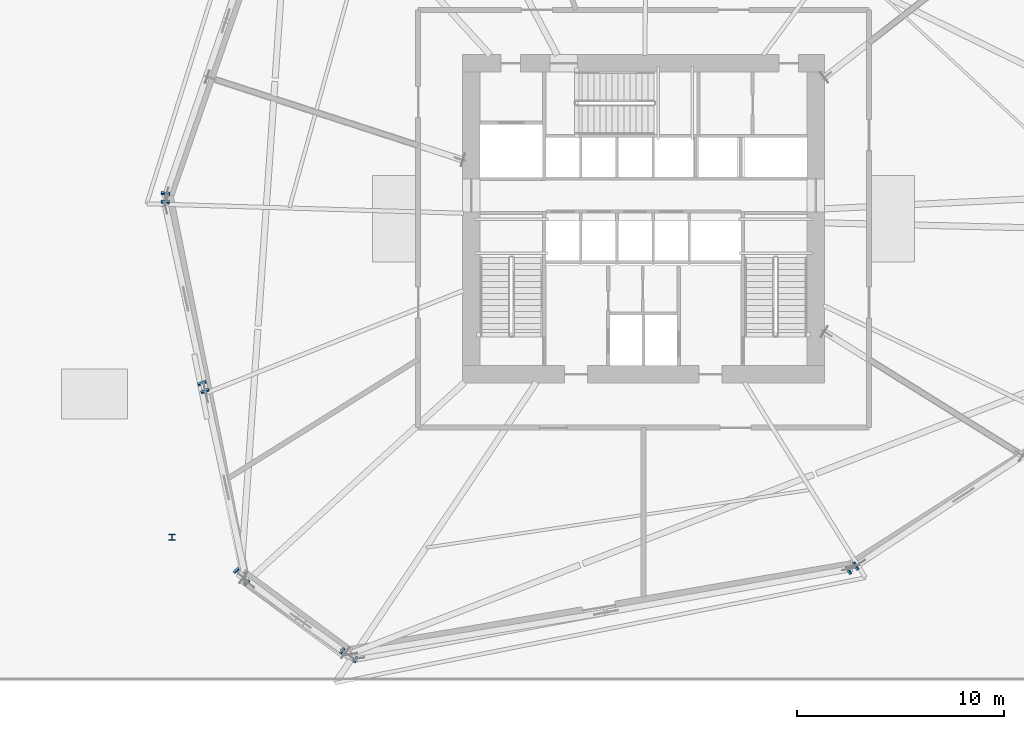
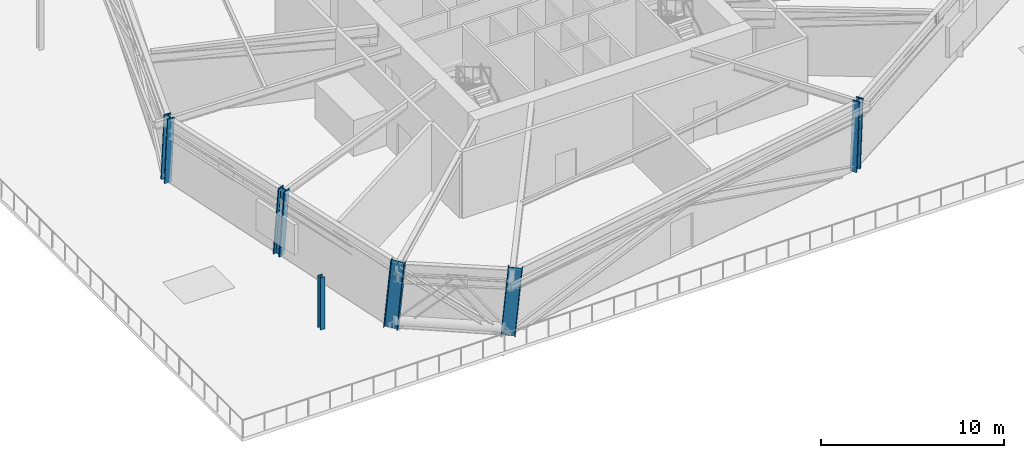
# One storey, part 1 of 20: 6 columns.
"""IFC4 building model written with IfcOpenShell, lengths in metres."""

from ifc_helpers import new_model, si_unit, direction, frame, origin, origin_2d, place, context, subcontext, project, spatial, i_section, extrude, source, transform, mapped, material, material_profile, profile_set, type_object, element, save


model = new_model("IFC4")

# Units and contexts
model_context = context("Model", 3, precision=1e-05, world=origin(), true_north=direction((0.0, 1.0)))
body_context = subcontext(model_context, "Body", "Model", "MODEL_VIEW")
ifc_project = project(units=[si_unit("LENGTHUNIT", "METRE"), si_unit("AREAUNIT", "SQUARE_METRE"), si_unit("VOLUMEUNIT", "CUBIC_METRE"), si_unit("PLANEANGLEUNIT", "RADIAN"), si_unit("MASSUNIT", "GRAM", prefix="KILO")], contexts=[model_context])

# Site, building, storey
site_placement = place(None, origin())
site = spatial("IfcSite", under=ifc_project, at=site_placement, CompositionType="ELEMENT")
building_placement = place(site_placement, origin())
building = spatial("IfcBuilding", under=site, at=building_placement, Name="Olszyna Solenne Hotel", CompositionType="ELEMENT")
storey_placement = place(building_placement, frame((0.0, 0.0, 24.60009765625)))
storey = spatial("IfcBuildingStorey", under=building, at=storey_placement, Name="L05", CompositionType="ELEMENT", Elevation=24.60009765625)

# Columns
ifc_material_1 = material(Name="Steel S355J2", Category="steel")
ifc_material_profile_1 = material_profile(ifc_material_1, i_section(OverallWidth=0.300048828125, OverallDepth=0.300048828125, WebThickness=0.010986328125, FlangeThickness=0.01904296875, at=origin_2d()), Name="HEB 300", Category="load-bearing")
ifc_profile_set_1 = profile_set([ifc_material_profile_1], Name="Steel S355J2")
column_type_1 = type_object("IfcColumnType", Name="COL-S2", PredefinedType="COLUMN", material=ifc_profile_set_1)
shared_shape_1 = source(origin(), body_context, "Body", "SweptSolid", [
    extrude(i_section(OverallWidth=0.300048828125, OverallDepth=0.300048828125, WebThickness=0.010986328125, FlangeThickness=0.01904296875, at=origin_2d()), origin(), (0.0, 0.0, 1.0), 3.5),
])
column_1_placement = place(storey_placement, frame((15.199951171875, 11.199951171875, 0.0), z_axis=(0.0, 0.0, 1.0), x_axis=(1.0, 0.0, 0.0)))
element("IfcColumn", 1, at=column_1_placement, inside=storey, type_object=column_type_1, Name="Terrace pavilion column COL-S2 C-L05-SG1", PredefinedType="COLUMN", context=body_context, shape_type="MappedRepresentation", body=[
    mapped(shared_shape_1, transform((0.0, 0.0, 0.0), x_axis=(1.0, 0.0, 0.0), y_axis=(0.0, 1.0, 0.0), z_axis=(0.0, 0.0, 1.0), scale=1.0)),
])
ifc_material_2 = material(Name="Steel S460M", Category="steel")
ifc_material_profile_2 = material_profile(ifc_material_2, i_section(OverallWidth=0.424072265625, OverallDepth=0.47412109375, WebThickness=0.04296875, FlangeThickness=0.068115234375, at=origin_2d()), Name="HD 400x634", Category="load-bearing")
ifc_profile_set_2 = profile_set([ifc_material_profile_2], Name="Steel S460M")
column_type_2 = type_object("IfcColumnType", Name="COL-T1", PredefinedType="COLUMN", material=ifc_profile_set_2)
shared_shape_2 = source(origin(), body_context, "Body", "SweptSolid", [
    extrude(i_section(OverallWidth=0.424072265625, OverallDepth=0.47412109375, WebThickness=0.04296875, FlangeThickness=0.068115234375, at=origin_2d()), origin(), (0.0, 0.0, 1.0), 4.549560546875),
])
column_2_placement = place(storey_placement, frame((14.884521484375, 27.66259765625, 0.0), z_axis=(-0.003005177096, -0.079798184687, 0.996806510127), x_axis=(0.999291626239, -0.037633040396, 0.0)))
element("IfcColumn", 2, at=column_2_placement, inside=storey, type_object=column_type_2, Name="Perimeter framed-tube column COL-T1 C-L05-07", PredefinedType="COLUMN", context=body_context, shape_type="MappedRepresentation", body=[
    mapped(shared_shape_2, transform((0.0, 0.0, 0.0), x_axis=(1.0, 0.0, 0.0), y_axis=(0.0, 1.0, 0.0), z_axis=(0.0, 0.0, 1.0), scale=1.0)),
])
shared_shape_3 = source(origin(), body_context, "Body", "SweptSolid", [
    extrude(i_section(OverallWidth=0.424072265625, OverallDepth=0.47412109375, WebThickness=0.04296875, FlangeThickness=0.068115234375, at=origin_2d()), origin(), (0.0, 0.0, 1.0), 4.549072265625),
])
column_3_placement = place(storey_placement, frame((16.7080078125, 18.501953125, 0.0), z_axis=(0.028551868184, -0.073311751767, 0.996900284821), x_axis=(0.931825331576, 0.362907083747, 0.0)))
element("IfcColumn", 3, at=column_3_placement, inside=storey, type_object=column_type_2, Name="Perimeter framed-tube column COL-T1 C-L05-08", PredefinedType="COLUMN", context=body_context, shape_type="MappedRepresentation", body=[
    mapped(shared_shape_3, transform((0.0, 0.0, 0.0), x_axis=(1.0, 0.0, 0.0), y_axis=(0.0, 1.0, 0.0), z_axis=(0.0, 0.0, 1.0), scale=1.0)),
])
ifc_material_profile_3 = material_profile(ifc_material_2, i_section(OverallWidth=0.30810546875, OverallDepth=0.81396484375, WebThickness=0.02099609375, FlangeThickness=0.0400390625, at=origin_2d()), Name="HEM 800", Category="load-bearing")
ifc_profile_set_3 = profile_set([ifc_material_profile_3], Name="Steel S460M")
column_type_3 = type_object("IfcColumnType", Name="COL-K1", PredefinedType="COLUMN", material=ifc_profile_set_3)
shared_shape_4 = source(origin(), body_context, "Body", "SweptSolid", [
    extrude(i_section(OverallWidth=0.30810546875, OverallDepth=0.81396484375, WebThickness=0.02099609375, FlangeThickness=0.0400390625, at=origin_2d()), origin(), (0.0, 0.0, 1.0), 4.55322265625),
])
column_4_placement = place(storey_placement, frame((18.53173828125, 9.34130859375, 0.0), z_axis=(0.060052750776, -0.066701448183, 0.995964147916), x_axis=(0.74317531308, 0.669096744895, 0.0)))
element("IfcColumn", 4, at=column_4_placement, inside=storey, type_object=column_type_3, Name="Perimeter framed-tube column COL-K1 C-L05-09", PredefinedType="COLUMN", context=body_context, shape_type="MappedRepresentation", body=[
    mapped(shared_shape_4, transform((0.0, 0.0, 0.0), x_axis=(1.0, 0.0, 0.0), y_axis=(0.0, 1.0, 0.0), z_axis=(0.0, 0.0, 1.0), scale=1.0)),
])
shared_shape_5 = source(origin(), body_context, "Body", "SweptSolid", [
    extrude(i_section(OverallWidth=0.30810546875, OverallDepth=0.81396484375, WebThickness=0.02099609375, FlangeThickness=0.0400390625, at=origin_2d()), origin(), (0.0, 0.0, 1.0), 4.552490234375),
])
column_5_placement = place(storey_placement, frame((23.71435546875, 5.520263671875, 0.0), z_axis=(0.073094440439, -0.048747502831, 0.996132964892), x_axis=(0.554841046628, 0.831956376847, 0.0)))
element("IfcColumn", 5, at=column_5_placement, inside=storey, type_object=column_type_3, Name="Perimeter framed-tube column COL-K1 C-L05-10", PredefinedType="COLUMN", context=body_context, shape_type="MappedRepresentation", body=[
    mapped(shared_shape_5, transform((0.0, 0.0, 0.0), x_axis=(1.0, 0.0, 0.0), y_axis=(0.0, 1.0, 0.0), z_axis=(0.0, 0.0, 1.0), scale=1.0)),
])
shared_shape_6 = source(origin(), body_context, "Body", "SweptSolid", [
    extrude(i_section(OverallWidth=0.424072265625, OverallDepth=0.47412109375, WebThickness=0.04296875, FlangeThickness=0.068115234375, at=origin_2d()), origin(), (0.0, 0.0, 1.0), 4.54541015625),
])
column_6_placement = place(storey_placement, frame((48.05419921875, 9.6826171875, 0.0), z_axis=(0.058169293958, 0.035180874924, 0.997686643832), x_axis=(-0.517513521593, 0.855675028833, 0.0)))
element("IfcColumn", 6, at=column_6_placement, inside=storey, type_object=column_type_2, Name="Perimeter framed-tube column COL-T1 C-L05-11", PredefinedType="COLUMN", context=body_context, shape_type="MappedRepresentation", body=[
    mapped(shared_shape_6, transform((0.0, 0.0, 0.0), x_axis=(1.0, 0.0, 0.0), y_axis=(0.0, 1.0, 0.0), z_axis=(0.0, 0.0, 1.0), scale=1.0)),
])

save(model, "model.ifc")
